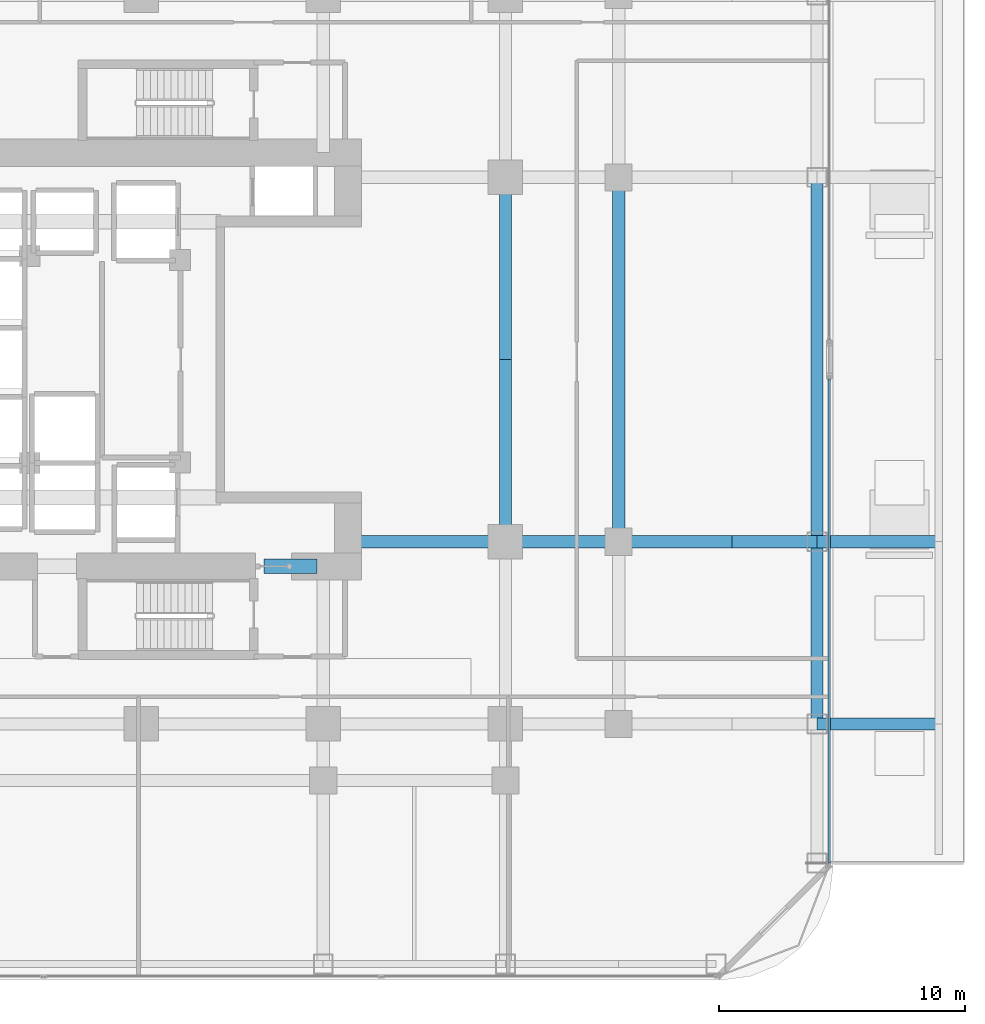
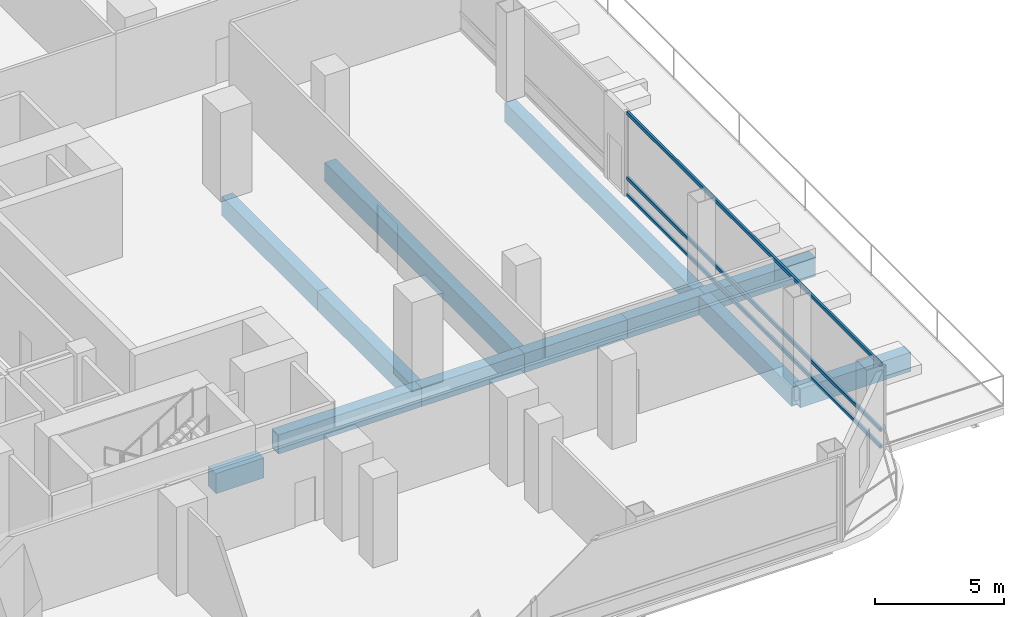
# One storey, part 11 of 29: 12 beams, 3 members, 1 element without a shape of its own.
"""IFC4 building model written with IfcOpenShell, lengths in metres."""

from ifc_helpers import new_model, si_unit, direction, frame, origin, origin_2d, place, context, subcontext, project, spatial, rectangle, hollow_rectangle, extrude, material, layer, layer_set, material_profile, profile_set, type_object, element, aggregate, save


model = new_model("IFC4")

# Units and contexts
model_context = context("Model", 3, precision=1e-05, world=origin(), true_north=direction((0.0, 1.0)))
body_context = subcontext(model_context, "Body", "Model", "MODEL_VIEW")
ifc_project = project(units=[si_unit("LENGTHUNIT", "METRE"), si_unit("AREAUNIT", "SQUARE_METRE"), si_unit("VOLUMEUNIT", "CUBIC_METRE"), si_unit("PLANEANGLEUNIT", "RADIAN"), si_unit("MASSUNIT", "GRAM", prefix="KILO")], contexts=[model_context])

# Site, building, storey
site_placement = place(None, origin())
site = spatial("IfcSite", under=ifc_project, at=site_placement, CompositionType="ELEMENT")
building_placement = place(site_placement, origin())
building = spatial("IfcBuilding", under=site, at=building_placement, Name="Khorvyn Point Tower", CompositionType="ELEMENT")
storey_placement = place(building_placement, frame((0.0, 0.0, 26.39990234375)))
storey = spatial("IfcBuildingStorey", under=building, at=storey_placement, Name="L07", CompositionType="ELEMENT", Elevation=26.39990234375)

# Curtain wall, members
ifc_material_1 = material(Name="Anodised aluminium 6063-T6 and laminated Low-E glass", Category="aluminium")
ifc_layer = layer(ifc_material_1, 0.18994140625)
ifc_layer_set = layer_set([ifc_layer], Name="Stick-Built Finned Residential Curtain Wall CW-SYS-02")
curtain_wall_type = type_object("IfcCurtainWallType", Name="Stick-Built Finned Residential Curtain Wall CW-SYS-02", PredefinedType="NOTDEFINED", material=ifc_layer_set)
curtain_wall_placement = place(storey_placement, origin())
curtain_wall = element("IfcCurtainWall", 1, at=curtain_wall_placement, inside=storey, type_object=curtain_wall_type, Name="Curtain Wall", PredefinedType="NOTDEFINED")
ifc_material_2 = material(Name="Anodised aluminium 6063-T6", Category="aluminium")
ifc_material_profile_1 = material_profile(ifc_material_2, hollow_rectangle(XDim=0.10009765625, YDim=0.159912109375, WallThickness=0.00439453125, at=origin_2d()))
ifc_profile_set_1 = profile_set([ifc_material_profile_1], Name="Anodised aluminium 6063-T6 ALU-TRN-100x160")
member_type = type_object("IfcMemberType", Name="Anodised Aluminium 6063-T6 Transom ALU-TRN-100x160", PredefinedType="USERDEFINED", material=ifc_profile_set_1)
member_1_placement = place(storey_placement, frame((27.949951171875, -0.820068359375, 0.050048828125), z_axis=(0.0, -1.0, 0.0), x_axis=(1.0, 0.0, 0.0)))
member_1 = element("IfcMember", 2, at=member_1_placement, type_object=member_type, Name="Transom", ObjectType="TRANSOM", PredefinedType="USERDEFINED", context=body_context, shape_type="SweptSolid", body=[
    extrude(hollow_rectangle(XDim=0.10009765625, YDim=0.159912109375, WallThickness=0.00439453125, at=origin_2d()), origin(), (0.0, 0.0, 1.0), 19.6298828125),
])
member_2_placement = place(storey_placement, frame((27.949951171875, -0.820068359375, 0.85009765625), z_axis=(0.0, -1.0, 0.0), x_axis=(1.0, 0.0, 0.0)))
member_2 = element("IfcMember", 3, at=member_2_placement, type_object=member_type, Name="Transom", ObjectType="TRANSOM", PredefinedType="USERDEFINED", context=body_context, shape_type="SweptSolid", body=[
    extrude(hollow_rectangle(XDim=0.10009765625, YDim=0.159912109375, WallThickness=0.00439453125, at=origin_2d()), origin(), (0.0, 0.0, 1.0), 19.6298828125),
])
member_3_placement = place(storey_placement, frame((27.949951171875, -0.820068359375, 3.93017578125), z_axis=(0.0, -1.0, 0.0), x_axis=(1.0, 0.0, 0.0)))
member_3 = element("IfcMember", 4, at=member_3_placement, type_object=member_type, Name="Transom", ObjectType="TRANSOM", PredefinedType="USERDEFINED", context=body_context, shape_type="SweptSolid", body=[
    extrude(hollow_rectangle(XDim=0.10009765625, YDim=0.159912109375, WallThickness=0.00439453125, at=origin_2d()), origin(), (0.0, 0.0, 1.0), 19.6298828125),
])
aggregate(curtain_wall, [member_1, member_2, member_3])

# Beams
ifc_material_3 = material(Name="Concrete C50/60", Category="concrete")
ifc_material_profile_2 = material_profile(ifc_material_3, rectangle(XDim=0.60009765625, YDim=0.949951171875, at=origin_2d()))
ifc_profile_set_2 = profile_set([ifc_material_profile_2], Name="Concrete C50/60 RC600x950")
beam_type_1 = type_object("IfcBeamType", Name="Concrete C50/60 Beam RC600x950", PredefinedType="BEAM", material=ifc_profile_set_2)
beam_1_placement = place(storey_placement, frame((5.0, -8.39990234375, -0.794921875), z_axis=(1.0, 0.0, 0.0), x_axis=(0.0, 1.0, 0.0)))
element("IfcBeam", 5, at=beam_1_placement, inside=storey, type_object=beam_type_1, Name="L07 Core Southeast Portal Coupling Beam", PredefinedType="BEAM", context=body_context, shape_type="SweptSolid", body=[
    extrude(rectangle(XDim=0.60009765625, YDim=0.949951171875, at=origin_2d()), origin(), (0.0, 0.0, 1.0), 2.14990234375),
])
ifc_material_4 = material(Name="Steel S450", Category="steel")
ifc_material_profile_3 = material_profile(ifc_material_4, hollow_rectangle(XDim=0.5, YDim=0.89990234375, WallThickness=0.0400390625, at=origin_2d()))
ifc_profile_set_3 = profile_set([ifc_material_profile_3], Name="Steel S450 BOX900x500x40")
beam_type_2 = type_object("IfcBeamType", Name="Steel S450 Beam BOX900x500x40", PredefinedType="BEAM", material=ifc_profile_set_3)
for number, where, z_axis, x_axis, name in (
    (6, (27.449951171875, -14.800048828125, -0.77001953125), (1.0, 0.0, 0.0), (0.0, 1.0, 0.0), "Beam"),
    (7, (27.449951171875, -7.39990234375, -0.77001953125), (1.0, 0.0, 0.0), (0.0, 1.0, 0.0), "Beam"),
):
    element("IfcBeam", number, at=place(storey_placement, frame(where, z_axis=z_axis, x_axis=x_axis)), inside=storey, type_object=beam_type_2, Name=name, PredefinedType="BEAM", context=body_context, shape_type="SweptSolid", body=[
        extrude(hollow_rectangle(XDim=0.5, YDim=0.89990234375, WallThickness=0.0400390625, at=origin_2d()), origin(), (0.0, 0.0, 1.0), 4.949951171875),
    ])
beam_2_placement = place(storey_placement, frame((27.449951171875, -14.800048828125, -0.77001953125), z_axis=(0.0, 1.0, 0.0), x_axis=(-1.0, 0.0, 0.0)))
element("IfcBeam", 8, at=beam_2_placement, inside=storey, type_object=beam_type_2, Name="Beam", PredefinedType="BEAM", context=body_context, shape_type="SweptSolid", body=[
    extrude(hollow_rectangle(XDim=0.5, YDim=0.89990234375, WallThickness=0.0400390625, at=origin_2d()), origin(), (0.0, 0.0, 1.0), 7.400146484375),
])
beam_3_placement = place(storey_placement, frame((27.449951171875, -7.39990234375, -0.77001953125), z_axis=(0.0, 1.0, 0.0), x_axis=(-1.0, 0.0, 0.0)))
element("IfcBeam", 9, at=beam_3_placement, inside=storey, type_object=beam_type_2, Name="Beam", PredefinedType="BEAM", context=body_context, shape_type="SweptSolid", body=[
    extrude(hollow_rectangle(XDim=0.5, YDim=0.89990234375, WallThickness=0.0400390625, at=origin_2d()), origin(), (0.0, 0.0, 1.0), 14.7998046875),
])
beam_4_placement = place(storey_placement, frame((8.39990234375, -7.39990234375, -0.77001953125), z_axis=(1.0, 0.0, 0.0), x_axis=(0.0, 1.0, 0.0)))
element("IfcBeam", 10, at=beam_4_placement, inside=storey, type_object=beam_type_2, Name="Beam", PredefinedType="BEAM", context=body_context, shape_type="SweptSolid", body=[
    extrude(hollow_rectangle(XDim=0.5, YDim=0.89990234375, WallThickness=0.0400390625, at=origin_2d()), origin(), (0.0, 0.0, 1.0), 6.400146484375),
])
beam_5_placement = place(storey_placement, frame((14.800048828125, -7.39990234375, -0.77001953125), z_axis=(1.0, 0.0, 0.0), x_axis=(0.0, 1.0, 0.0)))
element("IfcBeam", 11, at=beam_5_placement, inside=storey, type_object=beam_type_2, Name="Beam", PredefinedType="BEAM", context=body_context, shape_type="SweptSolid", body=[
    extrude(hollow_rectangle(XDim=0.5, YDim=0.89990234375, WallThickness=0.0400390625, at=origin_2d()), origin(), (0.0, 0.0, 1.0), 4.599853515625),
])
beam_6_placement = place(storey_placement, frame((19.39990234375, -7.39990234375, -0.77001953125), z_axis=(1.0, 0.0, 0.0), x_axis=(0.0, 1.0, 0.0)))
element("IfcBeam", 12, at=beam_6_placement, inside=storey, type_object=beam_type_2, Name="Beam", PredefinedType="BEAM", context=body_context, shape_type="SweptSolid", body=[
    extrude(hollow_rectangle(XDim=0.5, YDim=0.89990234375, WallThickness=0.0400390625, at=origin_2d()), origin(), (0.0, 0.0, 1.0), 4.60009765625),
])
beam_7_placement = place(storey_placement, frame((24.0, -7.39990234375, -0.77001953125), z_axis=(1.0, 0.0, 0.0), x_axis=(0.0, 1.0, 0.0)))
element("IfcBeam", 13, at=beam_7_placement, inside=storey, type_object=beam_type_2, Name="Beam", PredefinedType="BEAM", context=body_context, shape_type="SweptSolid", body=[
    extrude(hollow_rectangle(XDim=0.5, YDim=0.89990234375, WallThickness=0.0400390625, at=origin_2d()), origin(), (0.0, 0.0, 1.0), 3.449951171875),
])
for number, where, z_axis, x_axis, name in (
    (14, (14.800048828125, -7.39990234375, -0.77001953125), (0.0, 1.0, 0.0), (-1.0, 0.0, 0.0), "L07 Radial Transfer Girder"),
    (15, (14.800048828125, 0.0, -0.77001953125), (0.0, 1.0, 0.0), (-1.0, 0.0, 0.0), "L07 Radial Transfer Girder"),
):
    element("IfcBeam", number, at=place(storey_placement, frame(where, z_axis=z_axis, x_axis=x_axis)), inside=storey, type_object=beam_type_2, Name=name, PredefinedType="BEAM", context=body_context, shape_type="SweptSolid", body=[
        extrude(hollow_rectangle(XDim=0.5, YDim=0.89990234375, WallThickness=0.0400390625, at=origin_2d()), origin(), (0.0, 0.0, 1.0), 7.39990234375),
    ])
beam_8_placement = place(storey_placement, frame((19.39990234375, -7.39990234375, -0.77001953125), z_axis=(0.0, 1.0, 0.0), x_axis=(-1.0, 0.0, 0.0)))
element("IfcBeam", 16, at=beam_8_placement, inside=storey, type_object=beam_type_2, Name="Beam", PredefinedType="BEAM", context=body_context, shape_type="SweptSolid", body=[
    extrude(hollow_rectangle(XDim=0.5, YDim=0.89990234375, WallThickness=0.0400390625, at=origin_2d()), origin(), (0.0, 0.0, 1.0), 14.7998046875),
])

save(model, "model.ifc")
